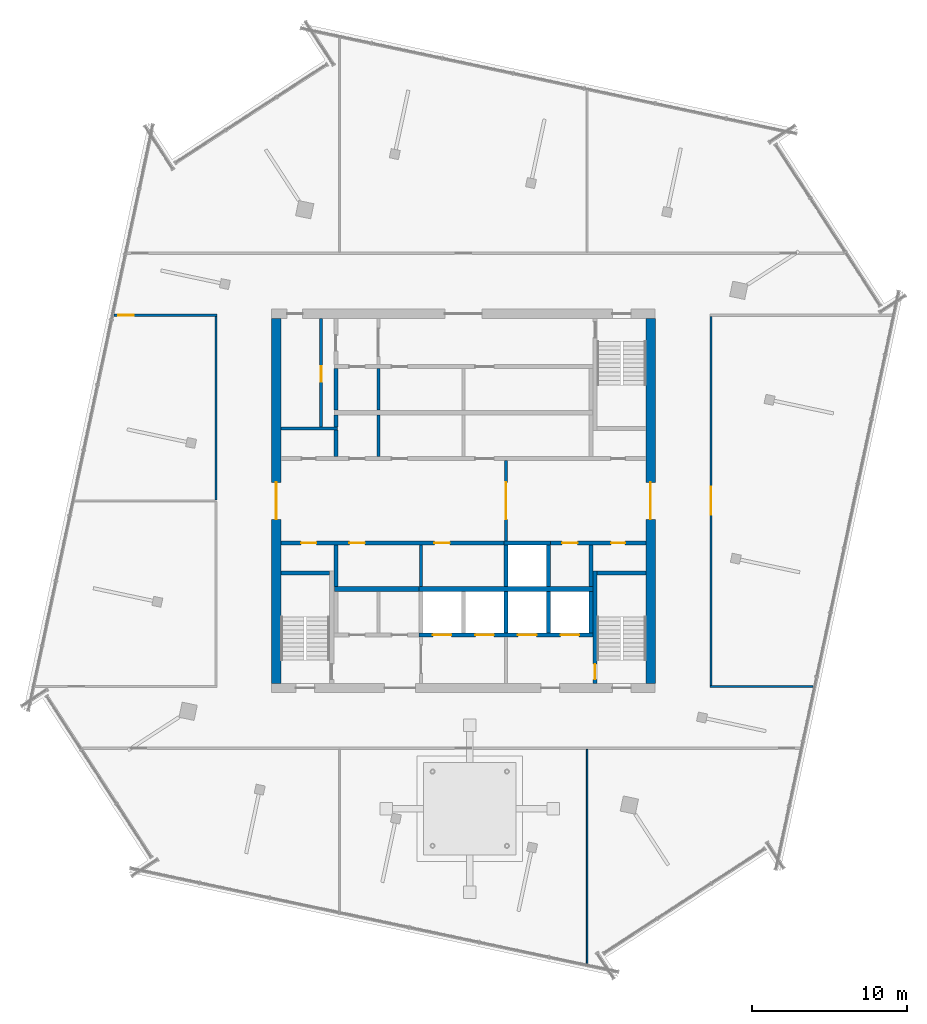
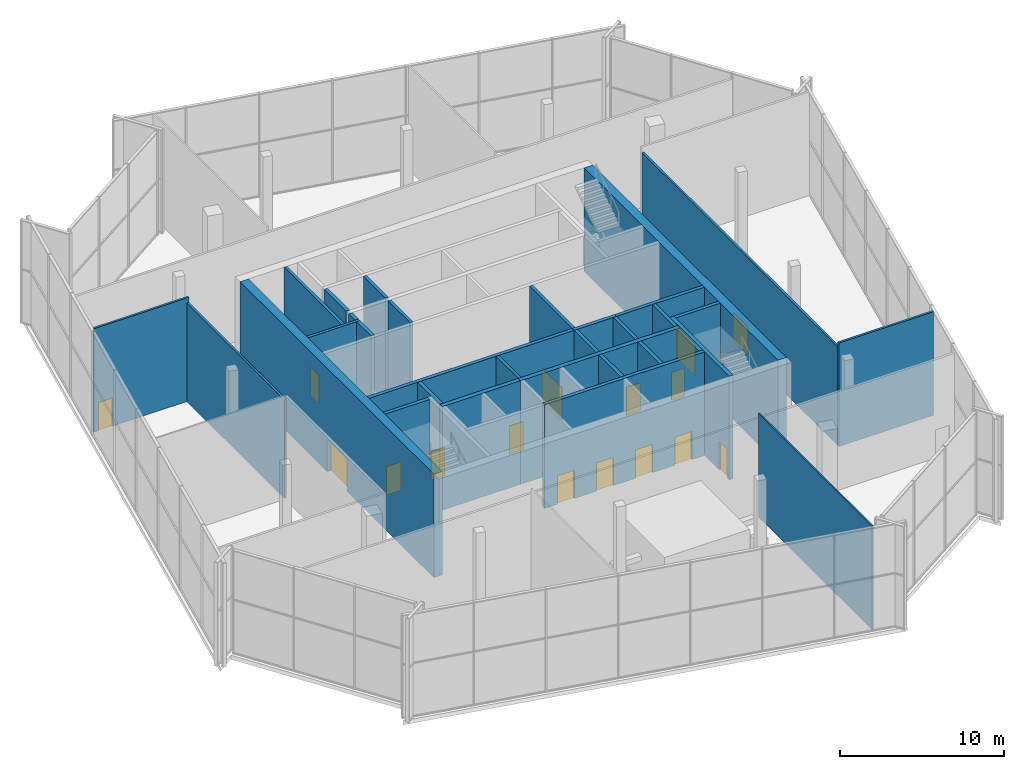
# One storey, part 10 of 14: 32 walls, 16 doors, 16 openings.
"""IFC4 building model written with IfcOpenShell, lengths in metres."""

from ifc_helpers import new_model, si_unit, direction, frame, frame_2d, origin, place, context, subcontext, project, spatial, rectangle, extrude, material, layer, layer_set, type_object, element, fill, save


model = new_model("IFC4")

# Units and contexts
model_context = context("Model", 3, precision=1e-05, world=origin(), true_north=direction((0.0, 1.0)))
body_context = subcontext(model_context, "Body", "Model", "MODEL_VIEW")
ifc_project = project(units=[si_unit("LENGTHUNIT", "METRE"), si_unit("AREAUNIT", "SQUARE_METRE"), si_unit("VOLUMEUNIT", "CUBIC_METRE"), si_unit("PLANEANGLEUNIT", "RADIAN"), si_unit("MASSUNIT", "GRAM", prefix="KILO")], contexts=[model_context])

# Site, building, storey
site_placement = place(None, origin())
site = spatial("IfcSite", under=ifc_project, at=site_placement, CompositionType="ELEMENT")
building_placement = place(site_placement, origin())
building = spatial("IfcBuilding", under=site, at=building_placement, Name="Dilmun Exchange Tower", CompositionType="ELEMENT")
storey_placement = place(building_placement, frame((0.0, 0.0, 350.10009765625)))
storey = spatial("IfcBuildingStorey", under=building, at=storey_placement, Name="Crown L83", CompositionType="ELEMENT", Elevation=350.10009765625)

# Wall
ifc_material_1 = material(Name="Concrete C40/50", Category="concrete")
ifc_layer_1 = layer(ifc_material_1, 0.199951171875)
ifc_layer_set_1 = layer_set([ifc_layer_1], Name="Concrete C40/50")
wall_type_1 = type_object("IfcWallType", Name="Core partition wall 200", PredefinedType="PARTITIONING", material=ifc_layer_set_1)
wall_1_placement = place(storey_placement, frame((-2.75, -5.544921875, 0.0), z_axis=(0.0, 0.0, 1.0), x_axis=(0.0, 1.0, 0.0)))
element("IfcWall", 1, at=wall_1_placement, inside=storey, type_object=wall_type_1, Name="Crown L83 core partition wall 08", PredefinedType="PARTITIONING", context=body_context, shape_type="SweptSolid", body=[
    extrude(rectangle(XDim=2.68994140625, YDim=0.199951171875, at=frame_2d((1.344970703125, 0.0))), origin(), (0.0, 0.0, 1.0), 7.699951171875),
])

# Wall, opening, door
wall_2_placement = place(storey_placement, frame((2.75, -2.594970703125, 0.0), z_axis=(0.0, 0.0, 1.0), x_axis=(0.0, 1.0, 0.0)))
wall_2 = element("IfcWall", 2, at=wall_2_placement, inside=storey, type_object=wall_type_1, Name="Crown L83 core partition wall 12", PredefinedType="PARTITIONING", context=body_context, shape_type="SweptSolid", body=[
    extrude(rectangle(XDim=5.18994140625, YDim=0.199951171875, at=frame_2d((2.594970703125, 0.0))), origin(), (0.0, 0.0, 1.0), 7.699951171875),
])
opening_1_placement = place(wall_2_placement, frame((1.39501953125, 0.0, 0.0)))
opening_1 = element("IfcOpeningElement", 3, at=opening_1_placement, cuts=wall_2, Name="Opening CD1", PredefinedType="OPENING", context=body_context, shape_type="SweptSolid", body=[
    extrude(rectangle(XDim=2.39990234375, YDim=2.39990234375, at=frame_2d((1.199951171875, 1.199951171875))), frame((0.0, 0.10986328125, 0.0), z_axis=(0.0, -1.0, 0.0), x_axis=(1.0, 0.0, 0.0)), (0.0, 0.0, 1.0), 0.219970703125),
])
ifc_material_2 = material(Name="Fire-rated steel door set", Category="steel")
door_type_1 = type_object("IfcDoorType", Name="Core lobby door 2400x2400", OperationType="DOUBLE_DOOR_DOUBLE_SWING", PredefinedType="DOOR", material=ifc_material_2)
door_1_placement = place(opening_1_placement, origin())
door_1 = element("IfcDoor", 4, at=door_1_placement, inside=storey, type_object=door_type_1, Name="Crown L83 door Lift lobby east", OperationType="DOUBLE_DOOR_DOUBLE_SWING", OverallHeight=2.39990234375, OverallWidth=2.39990234375, PredefinedType="DOOR", context=body_context, shape_type="SweptSolid", body=[
    extrude(rectangle(XDim=2.39990234375, YDim=2.39990234375, at=frame_2d((1.199951171875, 1.199951171875))), frame((0.0, 0.02490234375, 0.0), z_axis=(0.0, -1.0, 0.0), x_axis=(1.0, 0.0, 0.0)), (0.0, 0.0, 1.0), 0.050048828125),
])
fill(opening_1, door_1)

# Walls
wall_3_placement = place(storey_placement, frame((-5.5, 2.85498046875, 0.0), z_axis=(0.0, 0.0, 1.0), x_axis=(0.0, 1.0, 0.0)))
element("IfcWall", 5, at=wall_3_placement, inside=storey, type_object=wall_type_1, Name="Crown L83 core partition wall 15", PredefinedType="PARTITIONING", context=body_context, shape_type="SweptSolid", body=[
    extrude(rectangle(XDim=2.68994140625, YDim=0.199951171875, at=frame_2d((1.344970703125, 0.0))), origin(), (0.0, 0.0, 1.0), 7.699951171875),
])
wall_4_placement = place(storey_placement, frame((-11.794921875, 4.675048828125, 0.0), z_axis=(0.0, 0.0, 1.0), x_axis=(1.0, 0.0, 0.0)))
element("IfcWall", 6, at=wall_4_placement, inside=storey, type_object=wall_type_1, Name="Crown L83 core partition wall 18", PredefinedType="PARTITIONING", context=body_context, shape_type="SweptSolid", body=[
    extrude(rectangle(XDim=3.64501953125, YDim=0.199951171875, at=frame_2d((1.822509765625, 0.0))), origin(), (0.0, 0.0, 1.0), 7.699951171875),
])

# Wall, opening, door
wall_5_placement = place(storey_placement, frame((-9.199951171875, 4.780029296875, 0.0), z_axis=(0.0, 0.0, 1.0), x_axis=(0.0, 1.0, 0.0)))
wall_5 = element("IfcWall", 7, at=wall_5_placement, inside=storey, type_object=wall_type_1, Name="Crown L83 core partition wall 19", PredefinedType="PARTITIONING", context=body_context, shape_type="SweptSolid", body=[
    extrude(rectangle(XDim=7.014892578125, YDim=0.199951171875, at=frame_2d((3.50732421875, 0.0))), origin(), (0.0, 0.0, 1.0), 7.699951171875),
])
opening_2_placement = place(wall_5_placement, frame((2.919921875, 0.0, 0.0)))
opening_2 = element("IfcOpeningElement", 8, at=opening_2_placement, cuts=wall_5, Name="Opening CD4", PredefinedType="OPENING", context=body_context, shape_type="SweptSolid", body=[
    extrude(rectangle(XDim=1.0, YDim=2.10009765625, at=frame_2d((0.5, 1.050048828125))), frame((0.0, 0.10986328125, 0.0), z_axis=(0.0, -1.0, 0.0), x_axis=(1.0, 0.0, 0.0)), (0.0, 0.0, 1.0), 0.219970703125),
])
door_type_2 = type_object("IfcDoorType", Name="Core room door 1000x2100", OperationType="SINGLE_SWING_LEFT", PredefinedType="DOOR", material=ifc_material_2)
door_2_placement = place(opening_2_placement, origin())
door_2 = element("IfcDoor", 9, at=door_2_placement, inside=storey, type_object=door_type_2, Name="Crown L83 door Fire safety store", OperationType="SINGLE_SWING_RIGHT", OverallHeight=2.10009765625, OverallWidth=1.0, PredefinedType="DOOR", context=body_context, shape_type="SweptSolid", body=[
    extrude(rectangle(XDim=1.0, YDim=2.10009765625, at=frame_2d((0.5, 1.050048828125))), frame((0.0, 0.02490234375, 0.0), z_axis=(0.0, -1.0, 0.0), x_axis=(1.0, 0.0, 0.0)), (0.0, 0.0, 1.0), 0.050048828125),
])
fill(opening_2, door_2)

# Walls
wall_6_placement = place(storey_placement, frame((-5.5, 5.85498046875, 0.0), z_axis=(0.0, 0.0, 1.0), x_axis=(0.0, 1.0, 0.0)))
element("IfcWall", 10, at=wall_6_placement, inside=storey, type_object=wall_type_1, Name="Crown L83 core partition wall 23", PredefinedType="PARTITIONING", context=body_context, shape_type="SweptSolid", body=[
    extrude(rectangle(XDim=2.68994140625, YDim=0.199951171875, at=frame_2d((1.344970703125, 0.0))), origin(), (0.0, 0.0, 1.0), 7.699951171875),
])
ifc_layer_2 = layer(ifc_material_1, 0.25)
ifc_layer_set_2 = layer_set([ifc_layer_2], Name="Concrete C40/50")
wall_type_2 = type_object("IfcWallType", Name="Core partition wall 250", PredefinedType="PARTITIONING", material=ifc_layer_set_2)
for number, where, z_axis, x_axis, name in (
    (11, (-8.25, -5.544921875, 0.0), (0.0, 0.0, 1.0), (0.0, 1.0, 0.0), "Crown L83 core partition wall 07"),
    (12, (8.25, -5.544921875, 0.0), (0.0, 0.0, 1.0), (0.0, 1.0, 0.0), "Crown L83 core partition wall 09"),
):
    element("IfcWall", number, at=place(storey_placement, frame(where, z_axis=z_axis, x_axis=x_axis)), inside=storey, type_object=wall_type_2, Name=name, PredefinedType="PARTITIONING", context=body_context, shape_type="SweptSolid", body=[
        extrude(rectangle(XDim=2.68994140625, YDim=0.25, at=frame_2d((1.344970703125, 0.0))), origin(), (0.0, 0.0, 1.0), 7.699951171875),
    ])

# Wall, openings, doors
wall_7_placement = place(storey_placement, frame((-11.794921875, -2.72509765625, 0.0), z_axis=(0.0, 0.0, 1.0), x_axis=(1.0, 0.0, 0.0)))
wall_7 = element("IfcWall", 13, at=wall_7_placement, inside=storey, type_object=wall_type_2, Name="Crown L83 core partition wall 10", PredefinedType="PARTITIONING", context=body_context, shape_type="SweptSolid", body=[
    extrude(rectangle(XDim=14.4150390625, YDim=0.25, at=frame_2d((7.20751953125, 0.0))), origin(), (0.0, 0.0, 1.0), 7.699951171875),
])
opening_3_placement = place(wall_7_placement, frame((1.294921875, 0.0, 0.0)))
opening_3 = element("IfcOpeningElement", 14, at=opening_3_placement, cuts=wall_7, Name="Opening CD4", PredefinedType="OPENING", context=body_context, shape_type="SweptSolid", body=[
    extrude(rectangle(XDim=1.0, YDim=2.10009765625, at=frame_2d((0.5, 1.050048828125))), frame((0.0, 0.135009765625, 0.0), z_axis=(0.0, -1.0, 0.0), x_axis=(1.0, 0.0, 0.0)), (0.0, 0.0, 1.0), 0.27001953125),
])
opening_4_placement = place(wall_7_placement, frame((4.419921875, 0.0, 0.0)))
opening_4 = element("IfcOpeningElement", 15, at=opening_4_placement, cuts=wall_7, Name="Opening CD4", PredefinedType="OPENING", context=body_context, shape_type="SweptSolid", body=[
    extrude(rectangle(XDim=1.0, YDim=2.10009765625, at=frame_2d((0.5, 1.050048828125))), frame((0.0, 0.135009765625, 0.0), z_axis=(0.0, -1.0, 0.0), x_axis=(1.0, 0.0, 0.0)), (0.0, 0.0, 1.0), 0.27001953125),
])
opening_5_placement = place(wall_7_placement, frame((9.919921875, 0.0, 0.0)))
opening_5 = element("IfcOpeningElement", 16, at=opening_5_placement, cuts=wall_7, Name="Opening CD4", PredefinedType="OPENING", context=body_context, shape_type="SweptSolid", body=[
    extrude(rectangle(XDim=1.0, YDim=2.10009765625, at=frame_2d((0.5, 1.050048828125))), frame((0.0, 0.135009765625, 0.0), z_axis=(0.0, -1.0, 0.0), x_axis=(1.0, 0.0, 0.0)), (0.0, 0.0, 1.0), 0.27001953125),
])
door_3_placement = place(opening_3_placement, origin())
door_3 = element("IfcDoor", 17, at=door_3_placement, inside=storey, type_object=door_type_2, Name="Crown L83 door Accessible WC", OperationType="SINGLE_SWING_RIGHT", OverallHeight=2.10009765625, OverallWidth=1.0, PredefinedType="DOOR", context=body_context, shape_type="SweptSolid", body=[
    extrude(rectangle(XDim=1.0, YDim=2.10009765625, at=frame_2d((0.5, 1.050048828125))), frame((0.0, 0.02490234375, 0.0), z_axis=(0.0, -1.0, 0.0), x_axis=(1.0, 0.0, 0.0)), (0.0, 0.0, 1.0), 0.050048828125),
])
fill(opening_3, door_3)
door_4_placement = place(opening_4_placement, origin())
door_4 = element("IfcDoor", 18, at=door_4_placement, inside=storey, type_object=door_type_2, Name="Crown L83 door Archive store", OperationType="SINGLE_SWING_RIGHT", OverallHeight=2.10009765625, OverallWidth=1.0, PredefinedType="DOOR", context=body_context, shape_type="SweptSolid", body=[
    extrude(rectangle(XDim=1.0, YDim=2.10009765625, at=frame_2d((0.5, 1.050048828125))), frame((0.0, 0.02490234375, 0.0), z_axis=(0.0, -1.0, 0.0), x_axis=(1.0, 0.0, 0.0)), (0.0, 0.0, 1.0), 0.050048828125),
])
fill(opening_4, door_4)
door_5_placement = place(opening_5_placement, origin())
door_5 = element("IfcDoor", 19, at=door_5_placement, inside=storey, type_object=door_type_2, Name="Crown L83 door Switch room", OperationType="SINGLE_SWING_RIGHT", OverallHeight=2.10009765625, OverallWidth=1.0, PredefinedType="DOOR", context=body_context, shape_type="SweptSolid", body=[
    extrude(rectangle(XDim=1.0, YDim=2.10009765625, at=frame_2d((0.5, 1.050048828125))), frame((0.0, 0.02490234375, 0.0), z_axis=(0.0, -1.0, 0.0), x_axis=(1.0, 0.0, 0.0)), (0.0, 0.0, 1.0), 0.050048828125),
])
fill(opening_5, door_5)

wall_8_placement = place(storey_placement, frame((5.6298828125, -2.72509765625, 0.0), z_axis=(0.0, 0.0, 1.0), x_axis=(1.0, 0.0, 0.0)))
wall_8 = element("IfcWall", 20, at=wall_8_placement, inside=storey, type_object=wall_type_2, Name="Crown L83 core partition wall 11", PredefinedType="PARTITIONING", context=body_context, shape_type="SweptSolid", body=[
    extrude(rectangle(XDim=6.1650390625, YDim=0.25, at=frame_2d((3.08251953125, 0.0))), origin(), (0.0, 0.0, 1.0), 7.699951171875),
])
opening_6_placement = place(wall_8_placement, frame((0.7451171875, 0.0, 0.0)))
opening_6 = element("IfcOpeningElement", 21, at=opening_6_placement, cuts=wall_8, Name="Opening CD4", PredefinedType="OPENING", context=body_context, shape_type="SweptSolid", body=[
    extrude(rectangle(XDim=1.0, YDim=2.10009765625, at=frame_2d((0.5, 1.050048828125))), frame((0.0, 0.135009765625, 0.0), z_axis=(0.0, -1.0, 0.0), x_axis=(1.0, 0.0, 0.0)), (0.0, 0.0, 1.0), 0.27001953125),
])
opening_7_placement = place(wall_8_placement, frame((3.919921875, 0.0, 0.0)))
opening_7 = element("IfcOpeningElement", 22, at=opening_7_placement, cuts=wall_8, Name="Opening CD6", PredefinedType="OPENING", context=body_context, shape_type="SweptSolid", body=[
    extrude(rectangle(XDim=0.89990234375, YDim=2.10009765625, at=frame_2d((0.449951171875, 1.050048828125))), frame((0.0, 0.135009765625, 0.0), z_axis=(0.0, -1.0, 0.0), x_axis=(1.0, 0.0, 0.0)), (0.0, 0.0, 1.0), 0.27001953125),
])
door_6_placement = place(opening_6_placement, origin())
door_6 = element("IfcDoor", 23, at=door_6_placement, inside=storey, type_object=door_type_2, Name="Crown L83 door Cleaners' store", OperationType="SINGLE_SWING_RIGHT", OverallHeight=2.10009765625, OverallWidth=1.0, PredefinedType="DOOR", context=body_context, shape_type="SweptSolid", body=[
    extrude(rectangle(XDim=1.0, YDim=2.10009765625, at=frame_2d((0.5, 1.050048828125))), frame((0.0, 0.02490234375, 0.0), z_axis=(0.0, -1.0, 0.0), x_axis=(1.0, 0.0, 0.0)), (0.0, 0.0, 1.0), 0.050048828125),
])
fill(opening_6, door_6)
door_type_3 = type_object("IfcDoorType", Name="Core room door 900x2100", OperationType="SINGLE_SWING_LEFT", PredefinedType="DOOR", material=ifc_material_2)
door_7_placement = place(opening_7_placement, origin())
door_7 = element("IfcDoor", 24, at=door_7_placement, inside=storey, type_object=door_type_3, Name="Crown L83 door Comms riser", OperationType="SINGLE_SWING_RIGHT", OverallHeight=2.10009765625, OverallWidth=0.89990234375, PredefinedType="DOOR", context=body_context, shape_type="SweptSolid", body=[
    extrude(rectangle(XDim=0.89990234375, YDim=2.10009765625, at=frame_2d((0.449951171875, 1.050048828125))), frame((0.0, 0.02490234375, 0.0), z_axis=(0.0, -1.0, 0.0), x_axis=(1.0, 0.0, 0.0)), (0.0, 0.0, 1.0), 0.050048828125),
])
fill(opening_7, door_7)

# Walls
wall_9_placement = place(storey_placement, frame((-8.25, 2.85498046875, 0.0), z_axis=(0.0, 0.0, 1.0), x_axis=(0.0, 1.0, 0.0)))
element("IfcWall", 25, at=wall_9_placement, inside=storey, type_object=wall_type_2, Name="Crown L83 core partition wall 14", PredefinedType="PARTITIONING", context=body_context, shape_type="SweptSolid", body=[
    extrude(rectangle(XDim=1.715087890625, YDim=0.25, at=frame_2d((0.857421875, 0.0))), origin(), (0.0, 0.0, 1.0), 7.699951171875),
])
wall_10_placement = place(storey_placement, frame((-8.25, 4.780029296875, 0.0), z_axis=(0.0, 0.0, 1.0), x_axis=(0.0, 1.0, 0.0)))
element("IfcWall", 26, at=wall_10_placement, inside=storey, type_object=wall_type_2, Name="Crown L83 core partition wall 20", PredefinedType="PARTITIONING", context=body_context, shape_type="SweptSolid", body=[
    extrude(rectangle(XDim=0.764892578125, YDim=0.25, at=frame_2d((0.38232421875, 0.0))), origin(), (0.0, 0.0, 1.0), 7.699951171875),
])
wall_11_placement = place(storey_placement, frame((-8.25, 5.85498046875, 0.0), z_axis=(0.0, 0.0, 1.0), x_axis=(0.0, 1.0, 0.0)))
element("IfcWall", 27, at=wall_11_placement, inside=storey, type_object=wall_type_2, Name="Crown L83 core partition wall 22", PredefinedType="PARTITIONING", context=body_context, shape_type="SweptSolid", body=[
    extrude(rectangle(XDim=2.68994140625, YDim=0.25, at=frame_2d((1.344970703125, 0.0))), origin(), (0.0, 0.0, 1.0), 7.699951171875),
])
ifc_layer_3 = layer(ifc_material_1, 0.300048828125)
ifc_layer_set_3 = layer_set([ifc_layer_3], Name="Concrete C40/50")
wall_type_3 = type_object("IfcWallType", Name="Core partition wall 300", PredefinedType="PARTITIONING", material=ifc_layer_set_3)
wall_12_placement = place(storey_placement, frame((-8.35009765625, -5.699951171875, 0.0), z_axis=(0.0, 0.0, 1.0), x_axis=(1.0, 0.0, 0.0)))
element("IfcWall", 28, at=wall_12_placement, inside=storey, type_object=wall_type_3, Name="Crown L83 core partition wall 06", PredefinedType="PARTITIONING", context=body_context, shape_type="SweptSolid", body=[
    extrude(rectangle(XDim=5.47021484375, YDim=0.300048828125, at=frame_2d((2.735107421875, 0.0))), origin(), (0.0, 0.0, 1.0), 7.699951171875),
])

# Wall, opening, door
ifc_material_3 = material(Name="Concrete C50/60", Category="concrete")
ifc_layer_4 = layer(ifc_material_3, 0.60009765625)
ifc_layer_set_4 = layer_set([ifc_layer_4], Name="Concrete C50/60")
wall_type_4 = type_object("IfcWallType", Name="Core shear wall 600 Concrete C50/60", PredefinedType="SHEAR", material=ifc_layer_set_4)
wall_13_placement = place(storey_placement, frame((12.10009765625, -11.800048828125, 0.0), z_axis=(0.0, 0.0, 1.0), x_axis=(0.0, 1.0, 0.0)))
wall_13 = element("IfcWall", 29, at=wall_13_placement, inside=storey, type_object=wall_type_4, Name="Crown L83 core shear wall E", PredefinedType="SHEAR", context=body_context, shape_type="SweptSolid", body=[
    extrude(rectangle(XDim=23.60009765625, YDim=0.60009765625, at=frame_2d((11.800048828125, 0.0))), origin(), (0.0, 0.0, 1.0), 7.699951171875),
])
opening_8_placement = place(wall_13_placement, frame((10.60009765625, 0.0, 0.0)))
opening_8 = element("IfcOpeningElement", 30, at=opening_8_placement, cuts=wall_13, Name="Opening CD1", PredefinedType="OPENING", context=body_context, shape_type="SweptSolid", body=[
    extrude(rectangle(XDim=2.39990234375, YDim=2.39990234375, at=frame_2d((1.199951171875, 1.199951171875))), frame((0.0, 0.31005859375, 0.0), z_axis=(0.0, -1.0, 0.0), x_axis=(1.0, 0.0, 0.0)), (0.0, 0.0, 1.0), 0.6201171875),
])
door_8_placement = place(opening_8_placement, origin())
door_8 = element("IfcDoor", 31, at=door_8_placement, inside=storey, type_object=door_type_1, Name="Crown L83 door Central lift lobby", OperationType="SINGLE_SWING_LEFT", OverallHeight=2.39990234375, OverallWidth=2.39990234375, PredefinedType="DOOR", context=body_context, shape_type="SweptSolid", body=[
    extrude(rectangle(XDim=2.39990234375, YDim=2.39990234375, at=frame_2d((1.199951171875, 1.199951171875))), frame((0.0, 0.02490234375, 0.0), z_axis=(0.0, -1.0, 0.0), x_axis=(1.0, 0.0, 0.0)), (0.0, 0.0, 1.0), 0.050048828125),
])
fill(opening_8, door_8)

wall_14_placement = place(storey_placement, frame((-12.10009765625, -11.800048828125, 0.0), z_axis=(0.0, 0.0, 1.0), x_axis=(0.0, 1.0, 0.0)))
wall_14 = element("IfcWall", 32, at=wall_14_placement, inside=storey, type_object=wall_type_4, Name="Crown L83 core shear wall W", PredefinedType="SHEAR", context=body_context, shape_type="SweptSolid", body=[
    extrude(rectangle(XDim=23.60009765625, YDim=0.60009765625, at=frame_2d((11.800048828125, 0.0))), origin(), (0.0, 0.0, 1.0), 7.699951171875),
])
opening_9_placement = place(wall_14_placement, frame((10.60009765625, 0.0, 0.0)))
opening_9 = element("IfcOpeningElement", 33, at=opening_9_placement, cuts=wall_14, Name="Opening CD1", PredefinedType="OPENING", context=body_context, shape_type="SweptSolid", body=[
    extrude(rectangle(XDim=2.39990234375, YDim=2.39990234375, at=frame_2d((1.199951171875, 1.199951171875))), frame((0.0, 0.31005859375, 0.0), z_axis=(0.0, -1.0, 0.0), x_axis=(1.0, 0.0, 0.0)), (0.0, 0.0, 1.0), 0.6201171875),
])
door_9_placement = place(opening_9_placement, origin())
door_9 = element("IfcDoor", 34, at=door_9_placement, inside=storey, type_object=door_type_1, Name="Crown L83 door Central lift lobby", OperationType="SINGLE_SWING_LEFT", OverallHeight=2.39990234375, OverallWidth=2.39990234375, PredefinedType="DOOR", context=body_context, shape_type="SweptSolid", body=[
    extrude(rectangle(XDim=2.39990234375, YDim=2.39990234375, at=frame_2d((1.199951171875, 1.199951171875))), frame((0.0, 0.02490234375, 0.0), z_axis=(0.0, -1.0, 0.0), x_axis=(1.0, 0.0, 0.0)), (0.0, 0.0, 1.0), 0.050048828125),
])
fill(opening_9, door_9)

# Wall
ifc_material_4 = material(Name="Fire partition EI 60 150 gypsum")
ifc_layer_5 = layer(ifc_material_4, 0.14990234375)
ifc_layer_set_5 = layer_set([ifc_layer_5], Name="Fire partition EI 60 150 gypsum")
wall_type_5 = type_object("IfcWallType", Name="Fire partition EI 60 150 gypsum", PredefinedType="PARTITIONING", material=ifc_layer_set_5)
wall_15_placement = place(storey_placement, frame((15.925048828125, -12.0, 0.0), z_axis=(0.0, 0.0, 1.0), x_axis=(1.0, 0.0, 0.0)))
element("IfcWall", 35, at=wall_15_placement, inside=storey, type_object=wall_type_5, Name="Crown L83 partition", PredefinedType="PARTITIONING", context=body_context, shape_type="SweptSolid", body=[
    extrude(rectangle(XDim=6.673828125, YDim=0.14990234375, at=frame_2d((3.3369140625, 0.0))), origin(), (0.0, 0.0, 1.0), 7.699951171875),
])

# Wall, opening, door
wall_16_placement = place(storey_placement, frame((-22.598876953125, 12.0, 0.0), z_axis=(0.0, 0.0, 1.0), x_axis=(1.0, 0.0, 0.0)))
wall_16 = element("IfcWall", 36, at=wall_16_placement, inside=storey, type_object=wall_type_5, Name="Crown L83 partition", PredefinedType="PARTITIONING", context=body_context, shape_type="SweptSolid", body=[
    extrude(rectangle(XDim=6.673828125, YDim=0.14990234375, at=frame_2d((3.3369140625, 0.0))), origin(), (0.0, 0.0, 1.0), 7.699951171875),
])
opening_10_placement = place(wall_16_placement, frame((0.298828125, 0.0, 0.0)))
opening_10 = element("IfcOpeningElement", 37, at=opening_10_placement, cuts=wall_16, Name="Opening CrownL83-D009", PredefinedType="OPENING", context=body_context, shape_type="SweptSolid", body=[
    extrude(rectangle(XDim=1.0, YDim=2.10009765625, at=frame_2d((0.5, 1.050048828125))), frame((0.0, 0.0849609375, 0.0), z_axis=(0.0, -1.0, 0.0), x_axis=(1.0, 0.0, 0.0)), (0.0, 0.0, 1.0), 0.169921875),
])
ifc_material_5 = material(Name="Fire door FD60 1000 x 2100")
door_type_4 = type_object("IfcDoorType", Name="Fire door FD60 1000 x 2100", OperationType="SINGLE_SWING_LEFT", PredefinedType="DOOR", material=ifc_material_5)
door_10_placement = place(opening_10_placement, origin())
door_10 = element("IfcDoor", 38, at=door_10_placement, inside=storey, type_object=door_type_4, Name="Crown L83 door CrownL83-D009", OperationType="SINGLE_SWING_LEFT", OverallHeight=2.10009765625, OverallWidth=1.0, PredefinedType="DOOR", context=body_context, shape_type="SweptSolid", body=[
    extrude(rectangle(XDim=1.0, YDim=2.10009765625, at=frame_2d((0.5, 1.050048828125))), frame((0.0, 0.02490234375, 0.0), z_axis=(0.0, -1.0, 0.0), x_axis=(1.0, 0.0, 0.0)), (0.0, 0.0, 1.0), 0.050048828125),
])
fill(opening_10, door_10)

# Wall
wall_17_placement = place(storey_placement, frame((-16.0, 0.050048828125, 0.0), z_axis=(0.0, 0.0, 1.0), x_axis=(0.0, 1.0, 0.0)))
element("IfcWall", 39, at=wall_17_placement, inside=storey, type_object=wall_type_5, Name="Crown L83 partition", PredefinedType="PARTITIONING", context=body_context, shape_type="SweptSolid", body=[
    extrude(rectangle(XDim=11.875, YDim=0.14990234375, at=frame_2d((5.9375, 0.0))), origin(), (0.0, 0.0, 1.0), 7.31982421875),
])

# Wall, opening, door
wall_18_placement = place(storey_placement, frame((16.0, -11.925048828125, 0.0), z_axis=(0.0, 0.0, 1.0), x_axis=(0.0, 1.0, 0.0)))
wall_18 = element("IfcWall", 40, at=wall_18_placement, inside=storey, type_object=wall_type_5, Name="Crown L83 partition", PredefinedType="PARTITIONING", context=body_context, shape_type="SweptSolid", body=[
    extrude(rectangle(XDim=23.85009765625, YDim=0.14990234375, at=frame_2d((11.925048828125, 0.0))), origin(), (0.0, 0.0, 1.0), 7.31982421875),
])
opening_11_placement = place(wall_18_placement, frame((11.02490234375, 0.0, 0.0)))
opening_11 = element("IfcOpeningElement", 41, at=opening_11_placement, cuts=wall_18, Name="Opening CrownL83-D001", PredefinedType="OPENING", context=body_context, shape_type="SweptSolid", body=[
    extrude(rectangle(XDim=1.800048828125, YDim=2.10009765625, at=frame_2d((0.89990234375, 1.050048828125))), frame((0.0, 0.0849609375, 0.0), z_axis=(0.0, -1.0, 0.0), x_axis=(1.0, 0.0, 0.0)), (0.0, 0.0, 1.0), 0.169921875),
])
ifc_material_6 = material(Name="Fire door FD60 double 1800 x 2100")
door_type_5 = type_object("IfcDoorType", Name="Fire door FD60 double 1800 x 2100", OperationType="DOUBLE_DOOR_SINGLE_SWING", PredefinedType="DOOR", material=ifc_material_6)
door_11_placement = place(opening_11_placement, origin())
door_11 = element("IfcDoor", 42, at=door_11_placement, inside=storey, type_object=door_type_5, Name="Crown L83 door CrownL83-D001", OperationType="DOUBLE_DOOR_SINGLE_SWING", OverallHeight=2.10009765625, OverallWidth=1.800048828125, PredefinedType="DOOR", context=body_context, shape_type="SweptSolid", body=[
    extrude(rectangle(XDim=1.800048828125, YDim=2.10009765625, at=frame_2d((0.89990234375, 1.050048828125))), frame((0.0, 0.02490234375, 0.0), z_axis=(0.0, -1.0, 0.0), x_axis=(1.0, 0.0, 0.0)), (0.0, 0.0, 1.0), 0.050048828125),
])
fill(opening_11, door_11)

# Walls
ifc_layer_6 = layer(ifc_material_1, 0.300048828125)
ifc_layer_set_6 = layer_set([ifc_layer_6], Name="Concrete C40/50")
wall_type_6 = type_object("IfcWallType", Name="Lift shaft shared wall 300", PredefinedType="SOLIDWALL", material=ifc_layer_set_6)
wall_19_placement = place(storey_placement, frame((-2.875, -5.699951171875, 0.0), z_axis=(0.0, 0.0, 1.0), x_axis=(1.0, 0.0, 0.0)))
element("IfcWall", 43, at=wall_19_placement, inside=storey, type_object=wall_type_6, Name="Crown L83 lift shaft rear wall S", PredefinedType="SOLIDWALL", context=body_context, shape_type="SweptSolid", body=[
    extrude(rectangle(XDim=11.25, YDim=0.300048828125, at=frame_2d((5.625, 0.0))), origin(), (0.0, 0.0, 1.0), 7.699951171875),
])
ifc_layer_7 = layer(ifc_material_1, 0.25)
ifc_layer_set_7 = layer_set([ifc_layer_7], Name="Concrete C40/50")
wall_type_7 = type_object("IfcWallType", Name="Lift shaft wall 250", PredefinedType="SOLIDWALL", material=ifc_layer_set_7)
wall_20_placement = place(storey_placement, frame((2.625, -2.72509765625, 0.0), z_axis=(0.0, 0.0, 1.0), x_axis=(1.0, 0.0, 0.0)))
element("IfcWall", 44, at=wall_20_placement, inside=storey, type_object=wall_type_7, Name="Crown L83 lift shaft front wall S1", PredefinedType="SOLIDWALL", context=body_context, shape_type="SweptSolid", body=[
    extrude(rectangle(XDim=3.0, YDim=0.25, at=frame_2d((1.5, 0.0))), origin(), (0.0, 0.0, 1.0), 7.699951171875),
])
for number, where, z_axis, x_axis, name in (
    (45, (2.75, -5.550048828125, 0.0), (0.0, 0.0, 1.0), (0.0, 1.0, 0.0), "Crown L83 lift shaft divider S14"),
    (46, (5.5, -5.550048828125, 0.0), (0.0, 0.0, 1.0), (0.0, 1.0, 0.0), "Crown L83 lift shaft divider S15"),
):
    element("IfcWall", number, at=place(storey_placement, frame(where, z_axis=z_axis, x_axis=x_axis)), inside=storey, type_object=wall_type_7, Name=name, PredefinedType="SOLIDWALL", context=body_context, shape_type="SweptSolid", body=[
        extrude(rectangle(XDim=2.699951171875, YDim=0.25, at=frame_2d((1.35009765625, 0.0))), origin(), (0.0, 0.0, 1.0), 7.699951171875),
    ])

# Wall, openings, doors
wall_21_placement = place(storey_placement, frame((-2.875, -8.675048828125, 0.0), z_axis=(0.0, 0.0, 1.0), x_axis=(1.0, 0.0, 0.0)))
wall_21 = element("IfcWall", 47, at=wall_21_placement, inside=storey, type_object=wall_type_7, Name="Crown L83 lift shaft front wall S2", PredefinedType="SOLIDWALL", context=body_context, shape_type="SweptSolid", body=[
    extrude(rectangle(XDim=11.25, YDim=0.25, at=frame_2d((5.625, 0.0))), origin(), (0.0, 0.0, 1.0), 7.699951171875),
])
opening_12_placement = place(wall_21_placement, frame((0.89990234375, 0.0, 0.0)))
opening_12 = element("IfcOpeningElement", 48, at=opening_12_placement, cuts=wall_21, Name="Opening LD", PredefinedType="OPENING", context=body_context, shape_type="SweptSolid", body=[
    extrude(rectangle(XDim=1.199951171875, YDim=2.10009765625, at=frame_2d((0.60009765625, 1.050048828125))), frame((0.0, 0.135009765625, 0.0), z_axis=(0.0, -1.0, 0.0), x_axis=(1.0, 0.0, 0.0)), (0.0, 0.0, 1.0), 0.27001953125),
])
opening_13_placement = place(wall_21_placement, frame((3.64990234375, 0.0, 0.0)))
opening_13 = element("IfcOpeningElement", 49, at=opening_13_placement, cuts=wall_21, Name="Opening LD", PredefinedType="OPENING", context=body_context, shape_type="SweptSolid", body=[
    extrude(rectangle(XDim=1.199951171875, YDim=2.10009765625, at=frame_2d((0.60009765625, 1.050048828125))), frame((0.0, 0.135009765625, 0.0), z_axis=(0.0, -1.0, 0.0), x_axis=(1.0, 0.0, 0.0)), (0.0, 0.0, 1.0), 0.27001953125),
])
opening_14_placement = place(wall_21_placement, frame((6.39990234375, 0.0, 0.0)))
opening_14 = element("IfcOpeningElement", 50, at=opening_14_placement, cuts=wall_21, Name="Opening LD", PredefinedType="OPENING", context=body_context, shape_type="SweptSolid", body=[
    extrude(rectangle(XDim=1.199951171875, YDim=2.10009765625, at=frame_2d((0.60009765625, 1.050048828125))), frame((0.0, 0.135009765625, 0.0), z_axis=(0.0, -1.0, 0.0), x_axis=(1.0, 0.0, 0.0)), (0.0, 0.0, 1.0), 0.27001953125),
])
opening_15_placement = place(wall_21_placement, frame((9.14990234375, 0.0, 0.0)))
opening_15 = element("IfcOpeningElement", 51, at=opening_15_placement, cuts=wall_21, Name="Opening LD", PredefinedType="OPENING", context=body_context, shape_type="SweptSolid", body=[
    extrude(rectangle(XDim=1.199951171875, YDim=2.10009765625, at=frame_2d((0.60009765625, 1.050048828125))), frame((0.0, 0.135009765625, 0.0), z_axis=(0.0, -1.0, 0.0), x_axis=(1.0, 0.0, 0.0)), (0.0, 0.0, 1.0), 0.27001953125),
])
door_type_6 = type_object("IfcDoorType", Name="Lift landing door 1200x2100", OperationType="DOUBLE_DOOR_SLIDING", PredefinedType="DOOR", material=ifc_material_2)
door_12_placement = place(opening_12_placement, origin())
door_12 = element("IfcDoor", 52, at=door_12_placement, inside=storey, type_object=door_type_6, Name="Crown L83 landing door SV1", OperationType="DOUBLE_DOOR_SLIDING", OverallHeight=2.10009765625, OverallWidth=1.199951171875, PredefinedType="DOOR", context=body_context, shape_type="SweptSolid", body=[
    extrude(rectangle(XDim=1.199951171875, YDim=2.10009765625, at=frame_2d((0.60009765625, 1.050048828125))), frame((0.0, 0.02490234375, 0.0), z_axis=(0.0, -1.0, 0.0), x_axis=(1.0, 0.0, 0.0)), (0.0, 0.0, 1.0), 0.050048828125),
])
fill(opening_12, door_12)
door_13_placement = place(opening_13_placement, origin())
door_13 = element("IfcDoor", 53, at=door_13_placement, inside=storey, type_object=door_type_6, Name="Crown L83 landing door SV2", OperationType="DOUBLE_DOOR_SLIDING", OverallHeight=2.10009765625, OverallWidth=1.199951171875, PredefinedType="DOOR", context=body_context, shape_type="SweptSolid", body=[
    extrude(rectangle(XDim=1.199951171875, YDim=2.10009765625, at=frame_2d((0.60009765625, 1.050048828125))), frame((0.0, 0.02490234375, 0.0), z_axis=(0.0, -1.0, 0.0), x_axis=(1.0, 0.0, 0.0)), (0.0, 0.0, 1.0), 0.050048828125),
])
fill(opening_13, door_13)
door_14_placement = place(opening_14_placement, origin())
door_14 = element("IfcDoor", 54, at=door_14_placement, inside=storey, type_object=door_type_6, Name="Crown L83 landing door FF1", OperationType="DOUBLE_DOOR_SLIDING", OverallHeight=2.10009765625, OverallWidth=1.199951171875, PredefinedType="DOOR", context=body_context, shape_type="SweptSolid", body=[
    extrude(rectangle(XDim=1.199951171875, YDim=2.10009765625, at=frame_2d((0.60009765625, 1.050048828125))), frame((0.0, 0.02490234375, 0.0), z_axis=(0.0, -1.0, 0.0), x_axis=(1.0, 0.0, 0.0)), (0.0, 0.0, 1.0), 0.050048828125),
])
fill(opening_14, door_14)
door_15_placement = place(opening_15_placement, origin())
door_15 = element("IfcDoor", 55, at=door_15_placement, inside=storey, type_object=door_type_6, Name="Crown L83 landing door FF2", OperationType="DOUBLE_DOOR_SLIDING", OverallHeight=2.10009765625, OverallWidth=1.199951171875, PredefinedType="DOOR", context=body_context, shape_type="SweptSolid", body=[
    extrude(rectangle(XDim=1.199951171875, YDim=2.10009765625, at=frame_2d((0.60009765625, 1.050048828125))), frame((0.0, 0.02490234375, 0.0), z_axis=(0.0, -1.0, 0.0), x_axis=(1.0, 0.0, 0.0)), (0.0, 0.0, 1.0), 0.050048828125),
])
fill(opening_15, door_15)

# Walls
for number, where, z_axis, x_axis, name in (
    (56, (2.75, -8.550048828125, 0.0), (0.0, 0.0, 1.0), (0.0, 1.0, 0.0), "Crown L83 lift shaft divider S24"),
    (57, (5.5, -8.550048828125, 0.0), (0.0, 0.0, 1.0), (0.0, 1.0, 0.0), "Crown L83 lift shaft divider S25"),
    (58, (8.25, -8.550048828125, 0.0), (0.0, 0.0, 1.0), (0.0, 1.0, 0.0), "Crown L83 lift shaft divider S26"),
):
    element("IfcWall", number, at=place(storey_placement, frame(where, z_axis=z_axis, x_axis=x_axis)), inside=storey, type_object=wall_type_7, Name=name, PredefinedType="SOLIDWALL", context=body_context, shape_type="SweptSolid", body=[
        extrude(rectangle(XDim=2.699951171875, YDim=0.25, at=frame_2d((1.35009765625, 0.0))), origin(), (0.0, 0.0, 1.0), 7.699951171875),
    ])
ifc_material_7 = material(Name="Partition 100 gypsum")
ifc_layer_8 = layer(ifc_material_7, 0.10009765625)
ifc_layer_set_8 = layer_set([ifc_layer_8], Name="Partition 100 gypsum")
wall_type_8 = type_object("IfcWallType", Name="Partition 100 gypsum", PredefinedType="PARTITIONING", material=ifc_layer_set_8)
wall_22_placement = place(storey_placement, frame((8.0, -29.9169921875, 0.0), z_axis=(0.0, 0.0, 1.0), x_axis=(0.0, 1.0, 0.0)))
element("IfcWall", 59, at=wall_22_placement, inside=storey, type_object=wall_type_8, Name="Crown L83 partition", PredefinedType="PARTITIONING", context=body_context, shape_type="SweptSolid", body=[
    extrude(rectangle(XDim=13.842041015625, YDim=0.10009765625, at=frame_2d((6.9208984375, 0.0))), origin(), (0.0, 0.0, 1.0), 7.699951171875),
])
ifc_layer_9 = layer(ifc_material_1, 0.25)
ifc_layer_set_9 = layer_set([ifc_layer_9], Name="Concrete C40/50")
wall_type_9 = type_object("IfcWallType", Name="Stair end wall 250", PredefinedType="SOLIDWALL", material=ifc_layer_set_9)
for number, where, z_axis, x_axis, name in (
    (60, (-8.64990234375, -4.675048828125, 0.0), (0.0, 0.0, 1.0), (-1.0, 0.0, 0.0), "Crown L83 ST2 far wall"),
    (61, (8.64990234375, -4.675048828125, 0.0), (0.0, 0.0, 1.0), (1.0, 0.0, 0.0), "Crown L83 ST3 far wall"),
):
    element("IfcWall", number, at=place(storey_placement, frame(where, z_axis=z_axis, x_axis=x_axis)), inside=storey, type_object=wall_type_9, Name=name, PredefinedType="SOLIDWALL", context=body_context, shape_type="SweptSolid", body=[
        extrude(rectangle(XDim=3.150146484375, YDim=0.25, at=frame_2d((1.5751953125, 0.0))), origin(), (0.0, 0.0, 1.0), 7.699951171875),
    ])

# Wall, opening, door
ifc_layer_10 = layer(ifc_material_1, 0.27490234375)
ifc_layer_set_10 = layer_set([ifc_layer_10], Name="Concrete C40/50")
wall_type_10 = type_object("IfcWallType", Name="Stair wall 275", PredefinedType="SOLIDWALL", material=ifc_layer_set_10)
wall_23_placement = place(storey_placement, frame((8.512451171875, -4.550048828125, 0.0), z_axis=(0.0, 0.0, 1.0), x_axis=(0.0, -1.0, 0.0)))
wall_23 = element("IfcWall", 62, at=wall_23_placement, inside=storey, type_object=wall_type_10, Name="Crown L83 ST3 wall to lift block", PredefinedType="SOLIDWALL", context=body_context, shape_type="SweptSolid", body=[
    extrude(rectangle(XDim=7.25, YDim=0.27490234375, at=frame_2d((3.625, 0.0))), origin(), (0.0, 0.0, 1.0), 7.699951171875),
])
opening_16_placement = place(wall_23_placement, frame((6.0, 0.0, 0.0)))
opening_16 = element("IfcOpeningElement", 63, at=opening_16_placement, cuts=wall_23, Name="Opening CD4", PredefinedType="OPENING", context=body_context, shape_type="SweptSolid", body=[
    extrude(rectangle(XDim=1.0, YDim=2.10009765625, at=frame_2d((0.5, 1.050048828125))), frame((0.0, 0.1474609375, 0.0), z_axis=(0.0, -1.0, 0.0), x_axis=(1.0, 0.0, 0.0)), (0.0, 0.0, 1.0), 0.294921875),
])
door_16_placement = place(opening_16_placement, origin())
door_16 = element("IfcDoor", 64, at=door_16_placement, inside=storey, type_object=door_type_2, Name="Crown L83 door ST3 from lobby", OperationType="SINGLE_SWING_LEFT", OverallHeight=2.10009765625, OverallWidth=1.0, PredefinedType="DOOR", context=body_context, shape_type="SweptSolid", body=[
    extrude(rectangle(XDim=1.0, YDim=2.10009765625, at=frame_2d((0.5, 1.050048828125))), frame((0.0, 0.02490234375, 0.0), z_axis=(0.0, -1.0, 0.0), x_axis=(1.0, 0.0, 0.0)), (0.0, 0.0, 1.0), 0.050048828125),
])
fill(opening_16, door_16)

save(model, "model.ifc")
